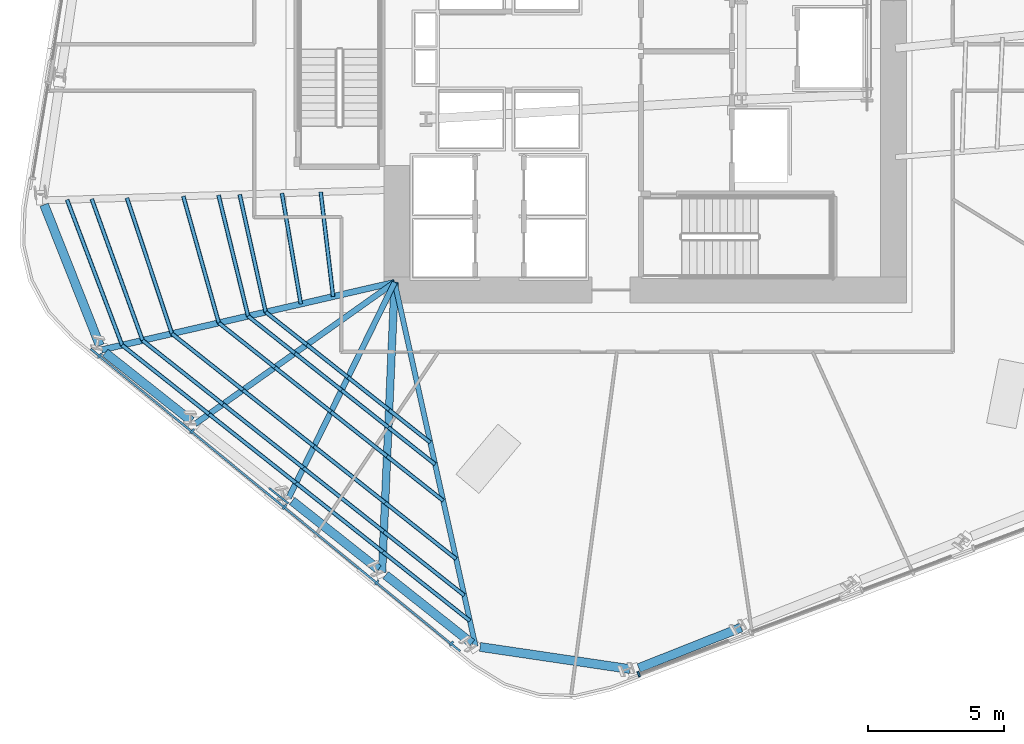
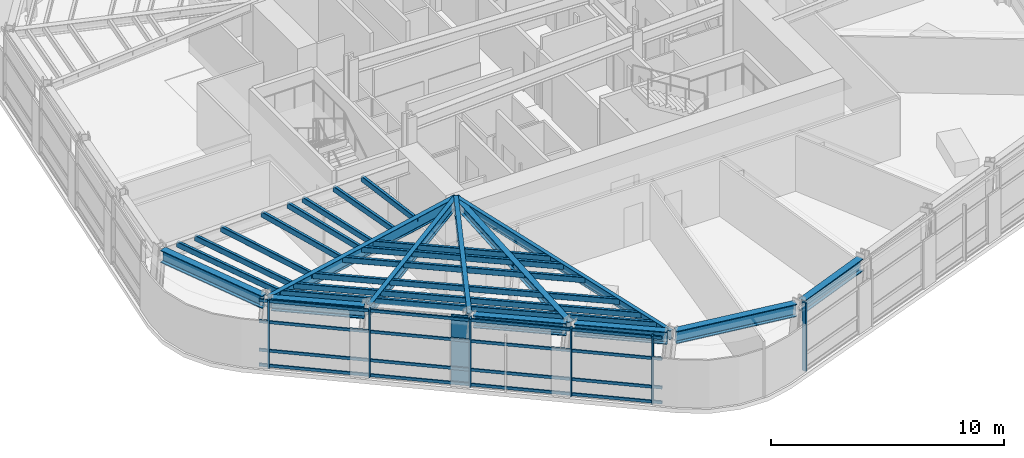
# One storey, part 2 of 18: 43 members, 11 beams, 2 elements without a shape of their own.
"""IFC4 building model written with IfcOpenShell, lengths in metres."""

from ifc_helpers import new_model, si_unit, direction, frame, origin, origin_2d, place, context, subcontext, project, spatial, rectangle, hollow_rectangle, i_section, extrude, material, layer, layer_set, material_profile, profile_set, type_object, element, aggregate, save


model = new_model("IFC4")

# Units and contexts
model_context = context("Model", 3, precision=1e-05, world=origin(), true_north=direction((0.0, 1.0)))
body_context = subcontext(model_context, "Body", "Model", "MODEL_VIEW")
ifc_project = project(units=[si_unit("LENGTHUNIT", "METRE"), si_unit("AREAUNIT", "SQUARE_METRE"), si_unit("VOLUMEUNIT", "CUBIC_METRE"), si_unit("PLANEANGLEUNIT", "RADIAN"), si_unit("MASSUNIT", "GRAM", prefix="KILO")], contexts=[model_context])

# Site, building, storey
site_placement = place(None, origin())
site = spatial("IfcSite", under=ifc_project, at=site_placement, CompositionType="ELEMENT")
building_placement = place(site_placement, origin())
building = spatial("IfcBuilding", under=site, at=building_placement, Name="Valkerne Bourse Tower", CompositionType="ELEMENT")
storey_placement = place(building_placement, frame((0.0, 0.0, 112.39990234375)))
storey = spatial("IfcBuildingStorey", under=building, at=storey_placement, Name="L28", CompositionType="ELEMENT", Elevation=112.39990234375)

# Beams
ifc_material_1 = material(Name="Steel ASTM A992", Category="steel")
ifc_material_profile_1 = material_profile(ifc_material_1, i_section(OverallWidth=0.1904296875, OverallDepth=0.457275390625, WebThickness=0.009033203125, FlangeThickness=0.014404296875, FilletRadius=0.01513671875, at=origin_2d()), Name="W18X50")
ifc_profile_set_1 = profile_set([ifc_material_profile_1], Name="Steel ASTM A992")
beam_type_1 = type_object("IfcBeamType", Name="BM-W18X50", PredefinedType="JOIST", material=ifc_profile_set_1)
beam_1_placement = place(storey_placement, frame((40.5712890625, 5.02880859375, 3.3515625), z_axis=(-0.216919134267, 0.97618957646, 0.0), x_axis=(-0.97618957646, -0.216919134267, 0.0)))
element("IfcBeam", 1, at=beam_1_placement, inside=storey, type_object=beam_type_1, Name="L28 Radial Composite Floor Beam 19", PredefinedType="JOIST", context=body_context, shape_type="SweptSolid", body=[
    extrude(i_section(OverallWidth=0.1904296875, OverallDepth=0.457275390625, WebThickness=0.009033203125, FlangeThickness=0.014404296875, FilletRadius=0.01513671875, at=origin_2d()), origin(), (0.0, 0.0, 1.0), 13.697265625),
])
ifc_material_profile_2 = material_profile(ifc_material_1, i_section(OverallWidth=0.279296875, OverallDepth=0.46240234375, WebThickness=0.0107421875, FlangeThickness=0.017333984375, FilletRadius=0.017822265625, at=origin_2d()), Name="W18X76")
ifc_profile_set_2 = profile_set([ifc_material_profile_2], Name="Steel ASTM A992")
beam_type_2 = type_object("IfcBeamType", Name="BM-W18X76", PredefinedType="BEAM", material=ifc_profile_set_2)
beam_2_placement = place(storey_placement, frame((37.13623046875, 7.751220703125, 3.348876953125), z_axis=(0.043519725773, 0.999052567921, 0.0), x_axis=(-0.999052567921, 0.043519725773, 0.0)))
element("IfcBeam", 2, at=beam_2_placement, inside=storey, type_object=beam_type_2, Name="L28 Radial Composite Floor Beam 18", PredefinedType="BEAM", context=body_context, shape_type="SweptSolid", body=[
    extrude(i_section(OverallWidth=0.279296875, OverallDepth=0.46240234375, WebThickness=0.0107421875, FlangeThickness=0.017333984375, FilletRadius=0.017822265625, at=origin_2d()), origin(), (0.0, 0.0, 1.0), 10.65869140625),
])
ifc_material_profile_3 = material_profile(ifc_material_1, i_section(OverallWidth=0.209228515625, OverallDepth=0.533447265625, WebThickness=0.01025390625, FlangeThickness=0.015625, FilletRadius=0.017822265625, at=origin_2d()), Name="W21X62")
ifc_profile_set_3 = profile_set([ifc_material_profile_3], Name="Steel ASTM A992")
beam_type_3 = type_object("IfcBeamType", Name="BM-W21X62", PredefinedType="JOIST", material=ifc_profile_set_3)
beam_3_placement = place(storey_placement, frame((33.701416015625, 10.4736328125, 3.3134765625), z_axis=(0.441366720662, 0.897326817772, 0.0), x_axis=(-0.897326817772, 0.441366720662, 0.0)))
element("IfcBeam", 3, at=beam_3_placement, inside=storey, type_object=beam_type_3, Name="L28 Radial Composite Floor Beam 17", PredefinedType="JOIST", context=body_context, shape_type="SweptSolid", body=[
    extrude(i_section(OverallWidth=0.209228515625, OverallDepth=0.533447265625, WebThickness=0.01025390625, FlangeThickness=0.015625, FilletRadius=0.017822265625, at=origin_2d()), origin(), (0.0, 0.0, 1.0), 8.833251953125),
])
ifc_material_profile_4 = material_profile(ifc_material_1, i_section(OverallWidth=0.2138671875, OverallDepth=0.548583984375, WebThickness=0.0146484375, FlangeThickness=0.023681640625, FilletRadius=0.017822265625, at=origin_2d()), Name="W21X93")
ifc_profile_set_4 = profile_set([ifc_material_profile_4], Name="Steel ASTM A992")
beam_type_4 = type_object("IfcBeamType", Name="BM-W21X93", PredefinedType="BEAM", material=ifc_profile_set_4)
beam_4_placement = place(storey_placement, frame((30.2666015625, 13.1962890625, 3.305908203125), z_axis=(0.815549305834, 0.578687592534, 0.0), x_axis=(-0.578687592534, 0.815549305834, 0.0)))
element("IfcBeam", 4, at=beam_4_placement, inside=storey, type_object=beam_type_4, Name="L28 Radial Composite Floor Beam 16", PredefinedType="BEAM", context=body_context, shape_type="SweptSolid", body=[
    extrude(i_section(OverallWidth=0.2138671875, OverallDepth=0.548583984375, WebThickness=0.0146484375, FlangeThickness=0.023681640625, FilletRadius=0.017822265625, at=origin_2d()), origin(), (0.0, 0.0, 1.0), 8.9921875),
])
ifc_material_profile_5 = material_profile(ifc_material_1, i_section(OverallWidth=0.330078125, OverallDepth=0.647705078125, WebThickness=0.0205078125, FlangeThickness=0.037109375, FilletRadius=0.020263671875, at=origin_2d()), Name="W24X192")
ifc_profile_set_5 = profile_set([ifc_material_profile_5], Name="Steel ASTM A992")
beam_type_5 = type_object("IfcBeamType", Name="BM-W24X192", PredefinedType="SPANDREL", material=ifc_profile_set_5)
beam_5_placement = place(storey_placement, frame((24.720458984375, 21.25048828125, 3.25634765625), z_axis=(0.368158293287, -0.929763126331, 0.0), x_axis=(0.929763126331, 0.368158293287, 0.0)))
element("IfcBeam", 5, at=beam_5_placement, inside=storey, type_object=beam_type_5, Name="L28 Hexagonal Spandrel Ring Beam 14", PredefinedType="SPANDREL", context=body_context, shape_type="SweptSolid", body=[
    extrude(i_section(OverallWidth=0.330078125, OverallDepth=0.647705078125, WebThickness=0.0205078125, FlangeThickness=0.037109375, FilletRadius=0.020263671875, at=origin_2d()), origin(), (0.0, 0.0, 1.0), 5.564453125),
])
beam_6_placement = place(storey_placement, frame((26.96484375, 15.81298828125, 3.25634765625), z_axis=(0.78370039611, -0.621139025611, 0.0), x_axis=(0.621139025611, 0.78370039611, 0.0)))
element("IfcBeam", 6, at=beam_6_placement, inside=storey, type_object=beam_type_5, Name="L28 Hexagonal Spandrel Ring Beam 15", PredefinedType="SPANDREL", context=body_context, shape_type="SweptSolid", body=[
    extrude(i_section(OverallWidth=0.330078125, OverallDepth=0.647705078125, WebThickness=0.0205078125, FlangeThickness=0.037109375, FilletRadius=0.020263671875, at=origin_2d()), origin(), (0.0, 0.0, 1.0), 4.04296875),
])
beam_7_placement = place(storey_placement, frame((33.834716796875, 10.3681640625, 3.25634765625), z_axis=(0.783671000813, -0.621176112295, 0.0), x_axis=(0.621176112295, 0.783671000813, 0.0)))
element("IfcBeam", 7, at=beam_7_placement, inside=storey, type_object=beam_type_5, Name="L28 Hexagonal Spandrel Ring Beam 17", PredefinedType="SPANDREL", context=body_context, shape_type="SweptSolid", body=[
    extrude(i_section(OverallWidth=0.330078125, OverallDepth=0.647705078125, WebThickness=0.0205078125, FlangeThickness=0.037109375, FilletRadius=0.020263671875, at=origin_2d()), origin(), (0.0, 0.0, 1.0), 4.043212890625),
])
beam_8_placement = place(storey_placement, frame((37.26953125, 7.6455078125, 3.25634765625), z_axis=(0.78370039611, -0.621139025611, 0.0), x_axis=(0.621139025611, 0.78370039611, 0.0)))
element("IfcBeam", 8, at=beam_8_placement, inside=storey, type_object=beam_type_5, Name="L28 Hexagonal Spandrel Ring Beam 18", PredefinedType="SPANDREL", context=body_context, shape_type="SweptSolid", body=[
    extrude(i_section(OverallWidth=0.330078125, OverallDepth=0.647705078125, WebThickness=0.0205078125, FlangeThickness=0.037109375, FilletRadius=0.020263671875, at=origin_2d()), origin(), (0.0, 0.0, 1.0), 4.04296875),
])
beam_9_placement = place(storey_placement, frame((40.739501953125, 5.00390625, 3.25634765625), z_axis=(0.989269790007, -0.146100248391, 0.0), x_axis=(0.146100248391, 0.989269790007, 0.0)))
element("IfcBeam", 9, at=beam_9_placement, inside=storey, type_object=beam_type_5, Name="L28 Hexagonal Spandrel Ring Beam 19", PredefinedType="SPANDREL", context=body_context, shape_type="SweptSolid", body=[
    extrude(i_section(OverallWidth=0.330078125, OverallDepth=0.647705078125, WebThickness=0.0205078125, FlangeThickness=0.037109375, FilletRadius=0.020263671875, at=origin_2d()), origin(), (0.0, 0.0, 1.0), 5.564697265625),
])
beam_10_placement = place(storey_placement, frame((46.570556640625, 4.228759765625, 3.25634765625), z_axis=(0.929778626164, 0.368119146918, 0.0), x_axis=(-0.368119146918, 0.929778626164, 0.0)))
element("IfcBeam", 10, at=beam_10_placement, inside=storey, type_object=beam_type_5, Name="L28 Hexagonal Spandrel Ring Beam 20", PredefinedType="SPANDREL", context=body_context, shape_type="SweptSolid", body=[
    extrude(i_section(OverallWidth=0.330078125, OverallDepth=0.647705078125, WebThickness=0.0205078125, FlangeThickness=0.037109375, FilletRadius=0.020263671875, at=origin_2d()), origin(), (0.0, 0.0, 1.0), 4.04296875),
])
ifc_material_profile_6 = material_profile(ifc_material_1, i_section(OverallWidth=0.228271484375, OverallDepth=0.607177734375, WebThickness=0.01123046875, FlangeThickness=0.017333984375, FilletRadius=0.017822265625, at=origin_2d()), Name="W24X76")
ifc_profile_set_6 = profile_set([ifc_material_profile_6], Name="Steel ASTM A992")
beam_type_6 = type_object("IfcBeamType", Name="BM-W24X76", PredefinedType="JOIST", material=ifc_profile_set_6)
beam_11_placement = place(storey_placement, frame((26.83154296875, 15.918701171875, 3.276611328125), z_axis=(0.97446747128, 0.224528722921, 0.0), x_axis=(-0.224528722921, 0.97446747128, 0.0)))
element("IfcBeam", 11, at=beam_11_placement, inside=storey, type_object=beam_type_6, Name="L28 Radial Composite Floor Beam 15", PredefinedType="JOIST", context=body_context, shape_type="SweptSolid", body=[
    extrude(i_section(OverallWidth=0.228271484375, OverallDepth=0.607177734375, WebThickness=0.01123046875, FlangeThickness=0.017333984375, FilletRadius=0.017822265625, at=origin_2d()), origin(), (0.0, 0.0, 1.0), 11.05078125),
])

# Curtain wall, members
ifc_material_2 = material(Name="Aluminium AA 6063-T6", Category="aluminium")
ifc_layer = layer(ifc_material_2, 0.22998046875)
ifc_layer_set = layer_set([ifc_layer], Name="Aluminium AA 6063-T6")
curtain_wall_type = type_object("IfcCurtainWallType", Name="CW-02", PredefinedType="NOTDEFINED", material=ifc_layer_set)
curtain_wall_1_placement = place(storey_placement, origin())
curtain_wall_1 = element("IfcCurtainWall", 12, at=curtain_wall_1_placement, inside=storey, type_object=curtain_wall_type, Name="L28 Hexagonal Stick Curtain Wall Face 4", PredefinedType="NOTDEFINED")
ifc_material_profile_7 = material_profile(ifc_material_2, rectangle(XDim=0.074951171875, YDim=0.199951171875, at=origin_2d()), Name="CWM-75X200")
ifc_profile_set_7 = profile_set([ifc_material_profile_7], Name="Aluminium AA 6063-T6")
member_type_1 = type_object("IfcMemberType", Name="CW-MUL-220X75", PredefinedType="MULLION", material=ifc_profile_set_7)
member_1_placement = place(storey_placement, frame((26.769775390625, 15.70458984375, 0.0), z_axis=(0.0, 0.0, 1.0), x_axis=(0.773837333902, -0.633384386182, 0.0)))
member_1 = element("IfcMember", 13, at=member_1_placement, type_object=member_type_1, Name="CW-L28-F4 Jamb Mullion 00A", PredefinedType="MULLION", context=body_context, shape_type="SweptSolid", body=[
    extrude(rectangle(XDim=0.074951171875, YDim=0.199951171875, at=origin_2d()), origin(), (0.0, 0.0, 1.0), 3.580078125),
])
member_2_placement = place(storey_placement, frame((30.161376953125, 12.928466796875, 0.0), z_axis=(0.0, 0.0, 1.0), x_axis=(0.773837333902, -0.633384386182, 0.0)))
member_2 = element("IfcMember", 14, at=member_2_placement, type_object=member_type_1, Name="CW-L28-F4 Jamb Mullion 01A", PredefinedType="MULLION", context=body_context, shape_type="SweptSolid", body=[
    extrude(rectangle(XDim=0.074951171875, YDim=0.199951171875, at=origin_2d()), origin(), (0.0, 0.0, 1.0), 3.580078125),
])
member_3_placement = place(storey_placement, frame((33.552978515625, 10.15234375, 0.0), z_axis=(0.0, 0.0, 1.0), x_axis=(0.773846486723, -0.633373203559, 0.0)))
member_3 = element("IfcMember", 15, at=member_3_placement, type_object=member_type_1, Name="CW-L28-F4 Jamb Mullion 02A", PredefinedType="MULLION", context=body_context, shape_type="SweptSolid", body=[
    extrude(rectangle(XDim=0.074951171875, YDim=0.199951171875, at=origin_2d()), origin(), (0.0, 0.0, 1.0), 3.580078125),
])
member_4_placement = place(storey_placement, frame((36.94482421875, 7.376220703125, 0.0), z_axis=(0.0, 0.0, 1.0), x_axis=(0.773837333902, -0.633384386182, 0.0)))
member_4 = element("IfcMember", 16, at=member_4_placement, type_object=member_type_1, Name="CW-L28-F4 Jamb Mullion 03A", PredefinedType="MULLION", context=body_context, shape_type="SweptSolid", body=[
    extrude(rectangle(XDim=0.074951171875, YDim=0.199951171875, at=origin_2d()), origin(), (0.0, 0.0, 1.0), 3.580078125),
])
member_5_placement = place(storey_placement, frame((39.6865234375, 5.132080078125, 0.0), z_axis=(0.0, 0.0, 1.0), x_axis=(0.773837333902, -0.633384386182, 0.0)))
member_5 = element("IfcMember", 17, at=member_5_placement, type_object=member_type_1, Name="CW-L28-F4 Jamb Mullion 03B", PredefinedType="MULLION", context=body_context, shape_type="SweptSolid", body=[
    extrude(rectangle(XDim=0.074951171875, YDim=0.199951171875, at=origin_2d()), origin(), (0.0, 0.0, 1.0), 3.580078125),
])

# Curtain wall, member
curtain_wall_2_placement = place(storey_placement, origin())
curtain_wall_2 = element("IfcCurtainWall", 18, at=curtain_wall_2_placement, inside=storey, type_object=curtain_wall_type, Name="L28 Hexagonal Stick Curtain Wall Face 5", PredefinedType="NOTDEFINED")
member_6_placement = place(storey_placement, frame((46.56689453125, 4.005615234375, 0.0), z_axis=(0.0, 0.0, 1.0), x_axis=(0.935448625028, 0.353462685347, 0.0)))
member_6 = element("IfcMember", 19, at=member_6_placement, type_object=member_type_1, Name="CW-L28-F5 Jamb Mullion 00A", PredefinedType="MULLION", context=body_context, shape_type="SweptSolid", body=[
    extrude(rectangle(XDim=0.074951171875, YDim=0.199951171875, at=origin_2d()), origin(), (0.0, 0.0, 1.0), 3.580078125),
])
aggregate(curtain_wall_2, [member_6])

# Member
ifc_material_profile_8 = material_profile(ifc_material_2, rectangle(XDim=0.074951171875, YDim=0.14990234375, at=origin_2d()), Name="CWT-75X150")
ifc_profile_set_8 = profile_set([ifc_material_profile_8], Name="Aluminium AA 6063-T6")
member_type_2 = type_object("IfcMemberType", Name="CW-TRN-180X65", PredefinedType="USERDEFINED", material=ifc_profile_set_8)
member_7_placement = place(storey_placement, frame((26.431884765625, 15.955078125, 0.1201171875), z_axis=(0.773836919751, -0.633384892171, 0.0), x_axis=(0.633384892171, 0.773836919751, 0.0)))
member_7 = element("IfcMember", 20, at=member_7_placement, type_object=member_type_2, Name="CW-L28-F4 Continuous Face Transom 1", ObjectType="TRANSOM", PredefinedType="USERDEFINED", context=body_context, shape_type="SweptSolid", body=[
    extrude(rectangle(XDim=0.074951171875, YDim=0.14990234375, at=origin_2d()), origin(), (0.0, 0.0, 1.0), 17.531982421875),
])

member_8_placement = place(storey_placement, frame((26.431884765625, 15.955078125, 0.900146484375), z_axis=(0.773836919751, -0.633384892171, 0.0), x_axis=(0.633384892171, 0.773836919751, 0.0)))
member_8 = element("IfcMember", 21, at=member_8_placement, type_object=member_type_2, Name="CW-L28-F4 Continuous Face Transom 2", ObjectType="TRANSOM", PredefinedType="USERDEFINED", context=body_context, shape_type="SweptSolid", body=[
    extrude(rectangle(XDim=0.074951171875, YDim=0.14990234375, at=origin_2d()), origin(), (0.0, 0.0, 1.0), 17.531982421875),
])

member_9_placement = place(storey_placement, frame((26.431884765625, 15.955078125, 2.400146484375), z_axis=(0.773836919751, -0.633384892171, 0.0), x_axis=(0.633384892171, 0.773836919751, 0.0)))
member_9 = element("IfcMember", 22, at=member_9_placement, type_object=member_type_2, Name="CW-L28-F4 Continuous Face Transom 3", ObjectType="TRANSOM", PredefinedType="USERDEFINED", context=body_context, shape_type="SweptSolid", body=[
    extrude(rectangle(XDim=0.074951171875, YDim=0.14990234375, at=origin_2d()), origin(), (0.0, 0.0, 1.0), 17.531982421875),
])

member_10_placement = place(storey_placement, frame((26.431884765625, 15.955078125, 3.5), z_axis=(0.773836919751, -0.633384892171, 0.0), x_axis=(0.633384892171, 0.773836919751, 0.0)))
member_10 = element("IfcMember", 23, at=member_10_placement, type_object=member_type_2, Name="CW-L28-F4 Continuous Face Transom 4", ObjectType="TRANSOM", PredefinedType="USERDEFINED", context=body_context, shape_type="SweptSolid", body=[
    extrude(rectangle(XDim=0.074951171875, YDim=0.14990234375, at=origin_2d()), origin(), (0.0, 0.0, 1.0), 17.531982421875),
])

aggregate(curtain_wall_1, [member_7, member_8, member_9, member_10, member_1, member_2, member_3, member_4, member_5])

# Members
ifc_material_3 = material(Name="Bronze Anodised Aluminium AA 6063-T6", Category="aluminium")
ifc_material_profile_9 = material_profile(ifc_material_3, rectangle(XDim=0.070068359375, YDim=0.89990234375, at=origin_2d()), Name="FIN-70X900")
ifc_profile_set_9 = profile_set([ifc_material_profile_9], Name="Bronze Anodised Aluminium AA 6063-T6")
member_type_3 = type_object("IfcMemberType", Name="FIN-SOLAR-900", PredefinedType="USERDEFINED", material=ifc_profile_set_9)
member_11_placement = place(storey_placement, frame((33.342041015625, 10.5576171875, 0.004150390625), z_axis=(0.0, 0.0, 1.0), x_axis=(-0.624422367002, -0.781086875826, 0.0)))
element("IfcMember", 24, at=member_11_placement, inside=storey, type_object=member_type_3, Name="L28 Bronze Anodised Solar Fin F4-02", ObjectType="SOLAR_FIN", PredefinedType="USERDEFINED", context=body_context, shape_type="SweptSolid", body=[
    extrude(rectangle(XDim=0.070068359375, YDim=0.89990234375, at=origin_2d()), origin(), (0.0, 0.0, 1.0), 3.572021484375),
])
ifc_material_4 = material(Name="Steel ASTM A500 Grade C", Category="steel")
ifc_material_profile_10 = material_profile(ifc_material_4, hollow_rectangle(XDim=0.14990234375, YDim=0.300048828125, WallThickness=0.012451171875, OuterFilletRadius=0.02490234375, at=origin_2d()), Name="HSS300X150X12.5")
ifc_profile_set_10 = profile_set([ifc_material_profile_10], Name="Steel ASTM A500 Grade C")
member_type_4 = type_object("IfcMemberType", Name="MBR-HSS300X150X12.5", PredefinedType="PURLIN", material=ifc_profile_set_10)
member_12_placement = place(storey_placement, frame((33.45849609375, 21.6748046875, 3.420166015625), z_axis=(0.168502507502, -0.985701225, 0.0), x_axis=(0.985701225, 0.168502507502, 0.0)))
element("IfcMember", 25, at=member_12_placement, inside=storey, type_object=member_type_4, Name="L28 Secondary Composite Floor Purlin I-14", PredefinedType="PURLIN", context=body_context, shape_type="SweptSolid", body=[
    extrude(hollow_rectangle(XDim=0.14990234375, YDim=0.300048828125, WallThickness=0.012451171875, OuterFilletRadius=0.02490234375, at=origin_2d()), origin(), (0.0, 0.0, 1.0), 4.1279296875),
])
member_13_placement = place(storey_placement, frame((31.905517578125, 21.627685546875, 3.420166015625), z_axis=(0.216153277327, -0.976359442368, 0.0), x_axis=(0.976359442368, 0.216153277327, 0.0)))
element("IfcMember", 26, at=member_13_placement, inside=storey, type_object=member_type_4, Name="L28 Secondary Composite Floor Purlin K-14", PredefinedType="PURLIN", context=body_context, shape_type="SweptSolid", body=[
    extrude(hollow_rectangle(XDim=0.14990234375, YDim=0.300048828125, WallThickness=0.012451171875, OuterFilletRadius=0.02490234375, at=origin_2d()), origin(), (0.0, 0.0, 1.0), 4.424072265625),
])
for number, where, z_axis, x_axis, name in (
    (27, (32.86181640625, 17.30810546875, 3.420166015625), (0.783750527263, -0.621075769141, 0.0), (0.621075769141, 0.783750527263, 0.0), "L28 Secondary Composite Floor Purlin K-15"),
    (28, (34.373291015625, 16.1103515625, 3.420166015625), (0.783640057881, -0.621215147661, 0.0), (0.621215147661, 0.783640057881, 0.0), "L28 Secondary Composite Floor Purlin K-16"),
    (29, (35.884521484375, 14.912353515625, 3.420166015625), (0.783750527263, -0.621075769141, 0.0), (0.621075769141, 0.783750527263, 0.0), "L28 Secondary Composite Floor Purlin K-17"),
):
    element("IfcMember", number, at=place(storey_placement, frame(where, z_axis=z_axis, x_axis=x_axis)), inside=storey, type_object=member_type_4, Name=name, PredefinedType="PURLIN", context=body_context, shape_type="SweptSolid", body=[
        extrude(hollow_rectangle(XDim=0.14990234375, YDim=0.300048828125, WallThickness=0.012451171875, OuterFilletRadius=0.02490234375, at=origin_2d()), origin(), (0.0, 0.0, 1.0), 1.928466796875),
    ])
member_14_placement = place(storey_placement, frame((37.39599609375, 13.714599609375, 3.420166015625), z_axis=(0.783688905728, -0.621153522922, 0.0), x_axis=(0.621153522922, 0.783688905728, 0.0)))
element("IfcMember", 30, at=member_14_placement, inside=storey, type_object=member_type_4, Name="L28 Secondary Composite Floor Purlin K-18", PredefinedType="PURLIN", context=body_context, shape_type="SweptSolid", body=[
    extrude(hollow_rectangle(XDim=0.14990234375, YDim=0.300048828125, WallThickness=0.012451171875, OuterFilletRadius=0.02490234375, at=origin_2d()), origin(), (0.0, 0.0, 1.0), 1.9287109375),
])
member_15_placement = place(storey_placement, frame((31.12890625, 21.604248046875, 3.420166015625), z_axis=(0.237523571314, -0.971381775138, 0.0), x_axis=(0.971381775138, 0.237523571314, 0.0)))
element("IfcMember", 31, at=member_15_placement, inside=storey, type_object=member_type_4, Name="L28 Secondary Composite Floor Purlin M-14", PredefinedType="PURLIN", context=body_context, shape_type="SweptSolid", body=[
    extrude(hollow_rectangle(XDim=0.14990234375, YDim=0.300048828125, WallThickness=0.012451171875, OuterFilletRadius=0.02490234375, at=origin_2d()), origin(), (0.0, 0.0, 1.0), 4.575927734375),
])
for number, where, z_axis, x_axis, name in (
    (32, (32.2158203125, 17.1591796875, 3.420166015625), (0.783740760534, -0.621088093814, 0.0), (0.621088093814, 0.783740760534, 0.0), "L28 Secondary Composite Floor Purlin M-15"),
    (33, (33.933349609375, 15.798095703125, 3.420166015625), (0.783643544992, -0.621210748774, 0.0), (0.621210748774, 0.783643544992, 0.0), "L28 Secondary Composite Floor Purlin M-16"),
    (34, (35.650634765625, 14.436767578125, 3.420166015625), (0.783740760534, -0.621088093814, 0.0), (0.621088093814, 0.783740760534, 0.0), "L28 Secondary Composite Floor Purlin M-17"),
):
    element("IfcMember", number, at=place(storey_placement, frame(where, z_axis=z_axis, x_axis=x_axis)), inside=storey, type_object=member_type_4, Name=name, PredefinedType="PURLIN", context=body_context, shape_type="SweptSolid", body=[
        extrude(hollow_rectangle(XDim=0.14990234375, YDim=0.300048828125, WallThickness=0.012451171875, OuterFilletRadius=0.02490234375, at=origin_2d()), origin(), (0.0, 0.0, 1.0), 2.19140625),
    ])
member_16_placement = place(storey_placement, frame((37.3681640625, 13.07568359375, 3.420166015625), z_axis=(0.783686532003, -0.621156517761, 0.0), x_axis=(0.621156517761, 0.783686532003, 0.0)))
element("IfcMember", 35, at=member_16_placement, inside=storey, type_object=member_type_4, Name="L28 Secondary Composite Floor Purlin M-18", PredefinedType="PURLIN", context=body_context, shape_type="SweptSolid", body=[
    extrude(hollow_rectangle(XDim=0.14990234375, YDim=0.300048828125, WallThickness=0.012451171875, OuterFilletRadius=0.02490234375, at=origin_2d()), origin(), (0.0, 0.0, 1.0), 2.191650390625),
])
member_17_placement = place(storey_placement, frame((27.763916015625, 21.50244140625, 3.420166015625), z_axis=(0.314401264869, -0.94929017937, 0.0), x_axis=(0.94929017937, 0.314401264869, 0.0)))
element("IfcMember", 36, at=member_17_placement, inside=storey, type_object=member_type_4, Name="L28 Secondary Composite Floor Purlin O-14", PredefinedType="PURLIN", context=body_context, shape_type="SweptSolid", body=[
    extrude(hollow_rectangle(XDim=0.14990234375, YDim=0.300048828125, WallThickness=0.012451171875, OuterFilletRadius=0.02490234375, at=origin_2d()), origin(), (0.0, 0.0, 1.0), 5.254638671875),
])
for number, where, z_axis, x_axis, name in (
    (37, (29.416015625, 16.51416015625, 3.420166015625), (0.783699428447, -0.621140246524, 0.0), (0.621140246524, 0.783699428447, 0.0), "L28 Secondary Composite Floor Purlin O-15"),
    (38, (32.026611328125, 14.445068359375, 3.420166015625), (0.783699428447, -0.621140246524, 0.0), (0.621140246524, 0.783699428447, 0.0), "L28 Secondary Composite Floor Purlin O-16"),
):
    element("IfcMember", number, at=place(storey_placement, frame(where, z_axis=z_axis, x_axis=x_axis)), inside=storey, type_object=member_type_4, Name=name, PredefinedType="PURLIN", context=body_context, shape_type="SweptSolid", body=[
        extrude(hollow_rectangle(XDim=0.14990234375, YDim=0.300048828125, WallThickness=0.012451171875, OuterFilletRadius=0.02490234375, at=origin_2d()), origin(), (0.0, 0.0, 1.0), 3.3310546875),
    ])
member_18_placement = place(storey_placement, frame((34.63720703125, 12.3759765625, 3.420166015625), z_axis=(0.783671149273, -0.621175924999, 0.0), x_axis=(0.621175924999, 0.783671149273, 0.0)))
element("IfcMember", 39, at=member_18_placement, inside=storey, type_object=member_type_4, Name="L28 Secondary Composite Floor Purlin O-17", PredefinedType="PURLIN", context=body_context, shape_type="SweptSolid", body=[
    extrude(hollow_rectangle(XDim=0.14990234375, YDim=0.300048828125, WallThickness=0.012451171875, OuterFilletRadius=0.02490234375, at=origin_2d()), origin(), (0.0, 0.0, 1.0), 3.330810546875),
])
member_19_placement = place(storey_placement, frame((37.24755859375, 10.306884765625, 3.420166015625), z_axis=(0.783699428447, -0.621140246524, 0.0), x_axis=(0.621140246524, 0.783699428447, 0.0)))
element("IfcMember", 40, at=member_19_placement, inside=storey, type_object=member_type_4, Name="L28 Secondary Composite Floor Purlin O-18", PredefinedType="PURLIN", context=body_context, shape_type="SweptSolid", body=[
    extrude(hollow_rectangle(XDim=0.14990234375, YDim=0.300048828125, WallThickness=0.012451171875, OuterFilletRadius=0.02490234375, at=origin_2d()), origin(), (0.0, 0.0, 1.0), 3.3310546875),
])
member_20_placement = place(storey_placement, frame((29.834716796875, 21.565185546875, 3.420166015625), z_axis=(0.269834140092, -0.962906816281, 0.0), x_axis=(0.962906816281, 0.269834140092, 0.0)))
element("IfcMember", 41, at=member_20_placement, inside=storey, type_object=member_type_4, Name="L28 Secondary Composite Floor Purlin Z-14", PredefinedType="PURLIN", context=body_context, shape_type="SweptSolid", body=[
    extrude(hollow_rectangle(XDim=0.14990234375, YDim=0.300048828125, WallThickness=0.012451171875, OuterFilletRadius=0.02490234375, at=origin_2d()), origin(), (0.0, 0.0, 1.0), 4.833251953125),
])
member_21_placement = place(storey_placement, frame((31.138916015625, 16.9111328125, 3.420166015625), z_axis=(0.783695569985, -0.621145114756, 0.0), x_axis=(0.621145114756, 0.783695569985, 0.0)))
element("IfcMember", 42, at=member_21_placement, inside=storey, type_object=member_type_4, Name="L28 Secondary Composite Floor Purlin Z-15", PredefinedType="PURLIN", context=body_context, shape_type="SweptSolid", body=[
    extrude(hollow_rectangle(XDim=0.14990234375, YDim=0.300048828125, WallThickness=0.012451171875, OuterFilletRadius=0.02490234375, at=origin_2d()), origin(), (0.0, 0.0, 1.0), 2.6298828125),
])
member_22_placement = place(storey_placement, frame((33.199951171875, 15.277587890625, 3.420166015625), z_axis=(0.78370494422, -0.62113328715, 0.0), x_axis=(0.62113328715, 0.78370494422, 0.0)))
element("IfcMember", 43, at=member_22_placement, inside=storey, type_object=member_type_4, Name="L28 Secondary Composite Floor Purlin Z-16", PredefinedType="PURLIN", context=body_context, shape_type="SweptSolid", body=[
    extrude(hollow_rectangle(XDim=0.14990234375, YDim=0.300048828125, WallThickness=0.012451171875, OuterFilletRadius=0.02490234375, at=origin_2d()), origin(), (0.0, 0.0, 1.0), 2.629638671875),
])
for number, where, z_axis, x_axis, name in (
    (44, (35.2607421875, 13.644287109375, 3.420166015625), (0.783695569985, -0.621145114756, 0.0), (0.621145114756, 0.783695569985, 0.0), "L28 Secondary Composite Floor Purlin Z-17"),
    (45, (37.32177734375, 12.0107421875, 3.420166015625), (0.783695569985, -0.621145114756, 0.0), (0.621145114756, 0.783695569985, 0.0), "L28 Secondary Composite Floor Purlin Z-18"),
):
    element("IfcMember", number, at=place(storey_placement, frame(where, z_axis=z_axis, x_axis=x_axis)), inside=storey, type_object=member_type_4, Name=name, PredefinedType="PURLIN", context=body_context, shape_type="SweptSolid", body=[
        extrude(hollow_rectangle(XDim=0.14990234375, YDim=0.300048828125, WallThickness=0.012451171875, OuterFilletRadius=0.02490234375, at=origin_2d()), origin(), (0.0, 0.0, 1.0), 2.6298828125),
    ])
member_23_placement = place(storey_placement, frame((34.882080078125, 21.7177734375, 3.420166015625), z_axis=(0.118094280338, -0.993002387183, 0.0), x_axis=(0.993002387183, 0.118094280338, 0.0)))
element("IfcMember", 46, at=member_23_placement, inside=storey, type_object=member_type_4, Name="L28 Secondary Composite Floor Purlin S-14", PredefinedType="PURLIN", context=body_context, shape_type="SweptSolid", body=[
    extrude(hollow_rectangle(XDim=0.14990234375, YDim=0.300048828125, WallThickness=0.012451171875, OuterFilletRadius=0.02490234375, at=origin_2d()), origin(), (0.0, 0.0, 1.0), 3.865966796875),
])
member_24_placement = place(storey_placement, frame((26.4697265625, 21.46337890625, 3.420166015625), z_axis=(0.33845805977, -0.940981477914, 0.0), x_axis=(0.940981477914, 0.33845805977, 0.0)))
element("IfcMember", 47, at=member_24_placement, inside=storey, type_object=member_type_4, Name="L28 Secondary Composite Floor Purlin T-14", PredefinedType="PURLIN", context=body_context, shape_type="SweptSolid", body=[
    extrude(hollow_rectangle(XDim=0.14990234375, YDim=0.300048828125, WallThickness=0.012451171875, OuterFilletRadius=0.02490234375, at=origin_2d()), origin(), (0.0, 0.0, 1.0), 5.523193359375),
])
for number, where, z_axis, x_axis, name in (
    (48, (28.339111328125, 16.26611328125, 3.420166015625), (0.783704234537, -0.621134182579, 0.0), (0.621134182579, 0.783704234537, 0.0), "L28 Secondary Composite Floor Purlin T-15"),
    (49, (31.293212890625, 13.9248046875, 3.420166015625), (0.783704234537, -0.621134182579, 0.0), (0.621134182579, 0.783704234537, 0.0), "L28 Secondary Composite Floor Purlin T-16"),
    (50, (34.247314453125, 11.58349609375, 3.420166015625), (0.783647713759, -0.62120548993, 0.0), (0.62120548993, 0.783647713759, 0.0), "L28 Secondary Composite Floor Purlin T-17"),
    (51, (37.201171875, 9.241943359375, 3.420166015625), (0.783704234537, -0.621134182579, 0.0), (0.621134182579, 0.783704234537, 0.0), "L28 Secondary Composite Floor Purlin T-18"),
):
    element("IfcMember", number, at=place(storey_placement, frame(where, z_axis=z_axis, x_axis=x_axis)), inside=storey, type_object=member_type_4, Name=name, PredefinedType="PURLIN", context=body_context, shape_type="SweptSolid", body=[
        extrude(hollow_rectangle(XDim=0.14990234375, YDim=0.300048828125, WallThickness=0.012451171875, OuterFilletRadius=0.02490234375, at=origin_2d()), origin(), (0.0, 0.0, 1.0), 3.769287109375),
    ])
member_25_placement = place(storey_placement, frame((25.563720703125, 21.43603515625, 3.420166015625), z_axis=(0.353856738152, -0.935299635873, 0.0), x_axis=(0.935299635873, 0.353856738152, 0.0)))
element("IfcMember", 52, at=member_25_placement, inside=storey, type_object=member_type_4, Name="L28 Secondary Composite Floor Purlin U-14", PredefinedType="PURLIN", context=body_context, shape_type="SweptSolid", body=[
    extrude(hollow_rectangle(XDim=0.14990234375, YDim=0.300048828125, WallThickness=0.012451171875, OuterFilletRadius=0.02490234375, at=origin_2d()), origin(), (0.0, 0.0, 1.0), 5.71337890625),
])
member_26_placement = place(storey_placement, frame((27.58544921875, 16.09228515625, 3.420166015625), z_axis=(0.783700764565, -0.621138560726, 0.0), x_axis=(0.621138560726, 0.783700764565, 0.0)))
element("IfcMember", 53, at=member_26_placement, inside=storey, type_object=member_type_4, Name="L28 Secondary Composite Floor Purlin U-15", PredefinedType="PURLIN", context=body_context, shape_type="SweptSolid", body=[
    extrude(hollow_rectangle(XDim=0.14990234375, YDim=0.300048828125, WallThickness=0.012451171875, OuterFilletRadius=0.02490234375, at=origin_2d()), origin(), (0.0, 0.0, 1.0), 4.075927734375),
])
member_27_placement = place(storey_placement, frame((30.77978515625, 13.560546875, 3.420166015625), z_axis=(0.783694716953, -0.621146191021, 0.0), x_axis=(0.621146191021, 0.783694716953, 0.0)))
element("IfcMember", 54, at=member_27_placement, inside=storey, type_object=member_type_4, Name="L28 Secondary Composite Floor Purlin U-16", PredefinedType="PURLIN", context=body_context, shape_type="SweptSolid", body=[
    extrude(hollow_rectangle(XDim=0.14990234375, YDim=0.300048828125, WallThickness=0.012451171875, OuterFilletRadius=0.02490234375, at=origin_2d()), origin(), (0.0, 0.0, 1.0), 4.076416015625),
])
member_28_placement = place(storey_placement, frame((33.974365234375, 11.028564453125, 3.420166015625), z_axis=(0.783671607406, -0.62117534702, 0.0), x_axis=(0.62117534702, 0.783671607406, 0.0)))
element("IfcMember", 55, at=member_28_placement, inside=storey, type_object=member_type_4, Name="L28 Secondary Composite Floor Purlin U-17", PredefinedType="PURLIN", context=body_context, shape_type="SweptSolid", body=[
    extrude(hollow_rectangle(XDim=0.14990234375, YDim=0.300048828125, WallThickness=0.012451171875, OuterFilletRadius=0.02490234375, at=origin_2d()), origin(), (0.0, 0.0, 1.0), 4.076171875),
])
member_29_placement = place(storey_placement, frame((37.168701171875, 8.49658203125, 3.420166015625), z_axis=(0.783694716953, -0.621146191021, 0.0), x_axis=(0.621146191021, 0.783694716953, 0.0)))
element("IfcMember", 56, at=member_29_placement, inside=storey, type_object=member_type_4, Name="L28 Secondary Composite Floor Purlin U-18", PredefinedType="PURLIN", context=body_context, shape_type="SweptSolid", body=[
    extrude(hollow_rectangle(XDim=0.14990234375, YDim=0.300048828125, WallThickness=0.012451171875, OuterFilletRadius=0.02490234375, at=origin_2d()), origin(), (0.0, 0.0, 1.0), 4.076416015625),
])

save(model, "model.ifc")
